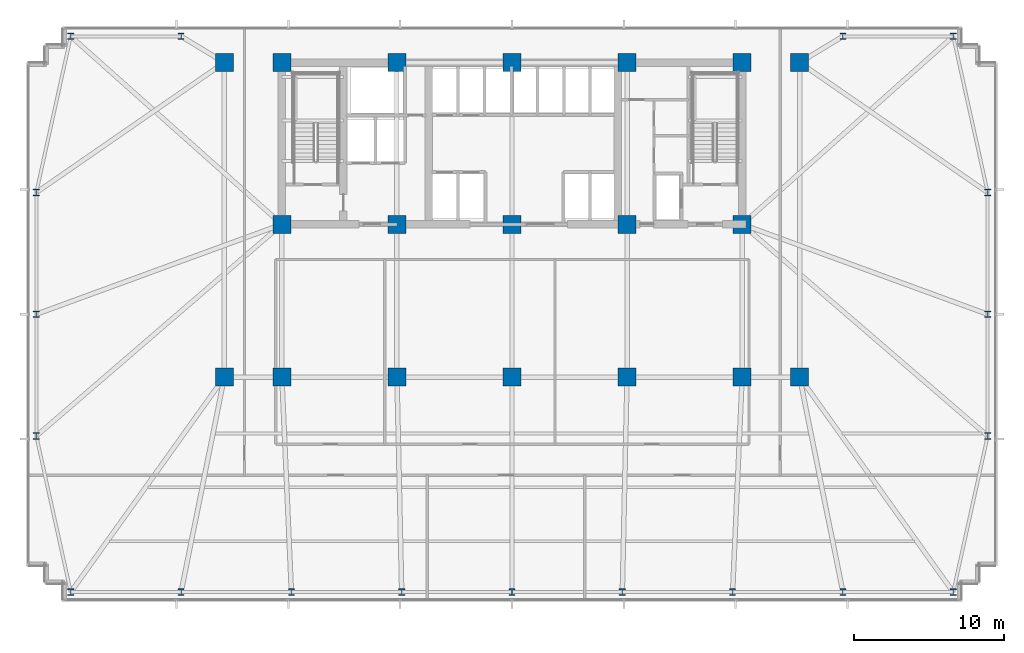
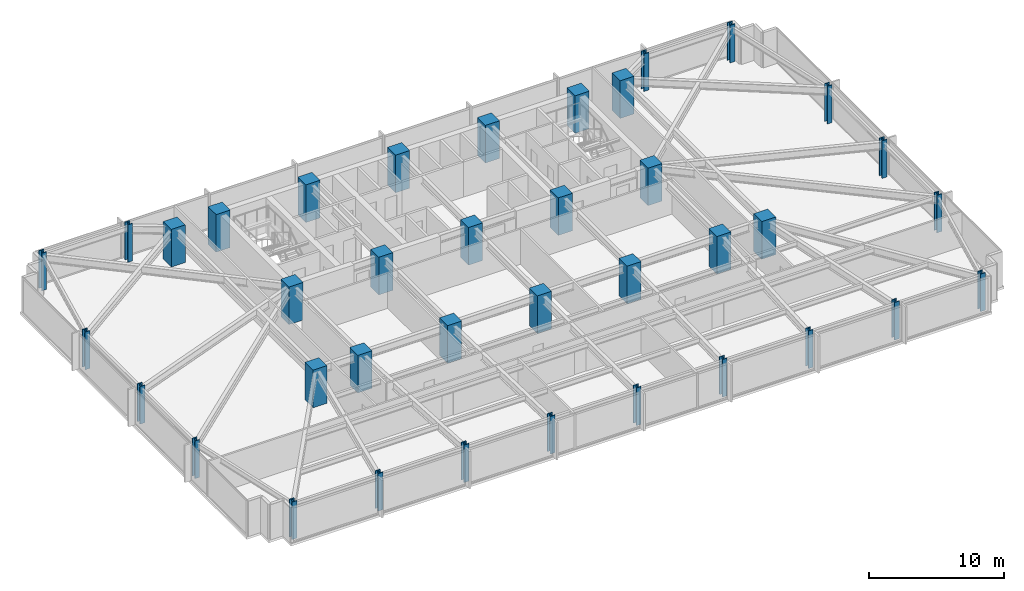
# One storey, part 1 of 32: 38 columns.
"""IFC4 building model written with IfcOpenShell, lengths in metres."""

from ifc_helpers import new_model, si_unit, direction, frame, origin, origin_2d, place, context, subcontext, project, spatial, rectangle, i_section, extrude, material, material_profile, profile_set, type_object, element, save


model = new_model("IFC4")

# Units and contexts
model_context = context("Model", 3, precision=1e-05, world=origin(), true_north=direction((0.0, 1.0)))
body_context = subcontext(model_context, "Body", "Model", "MODEL_VIEW")
ifc_project = project(units=[si_unit("LENGTHUNIT", "METRE"), si_unit("AREAUNIT", "SQUARE_METRE"), si_unit("VOLUMEUNIT", "CUBIC_METRE"), si_unit("PLANEANGLEUNIT", "RADIAN"), si_unit("MASSUNIT", "GRAM", prefix="KILO")], contexts=[model_context])

# Site, building, storey
site_placement = place(None, origin())
site = spatial("IfcSite", under=ifc_project, at=site_placement, CompositionType="ELEMENT")
building_placement = place(site_placement, origin())
building = spatial("IfcBuilding", under=site, at=building_placement, Name="Yelkora Congress Tower", CompositionType="ELEMENT")
storey_placement = place(building_placement, frame((0.0, 0.0, 33.800048828125)))
storey = spatial("IfcBuildingStorey", under=building, at=storey_placement, Name="L07", CompositionType="ELEMENT", Elevation=33.800048828125)

# Columns
ifc_material_1 = material(Name="Steel S460M", Category="steel")
ifc_material_profile_1 = material_profile(ifc_material_1, i_section(OverallWidth=0.41796875, OverallDepth=0.455078125, WebThickness=0.0419921875, FlangeThickness=0.068115234375, FilletRadius=0.014892578125, at=origin_2d()), Name="HD 400x551")
ifc_profile_set_1 = profile_set([ifc_material_profile_1], Name="Steel S460M")
column_type_1 = type_object("IfcColumnType", Name="COL-HD-551-EXT", PredefinedType="COLUMN", material=ifc_profile_set_1)
for number, where, z_axis, x_axis, name in (
    (1, (8.949951171875, 10.85009765625, 0.0), (0.0, 0.0, 1.0), (1.0, 0.0, 0.0), "L07 Perimeter Column S01"),
    (2, (16.3125, 10.85009765625, 0.0), (0.0, 0.0, 1.0), (1.0, 0.0, 0.0), "L07 Perimeter Column S02"),
    (3, (23.675048828125, 10.85009765625, 0.0), (0.0, 0.0, 1.0), (1.0, 0.0, 0.0), "L07 Perimeter Column S03"),
    (4, (31.03759765625, 10.85009765625, 0.0), (0.0, 0.0, 1.0), (1.0, 0.0, 0.0), "L07 Perimeter Column S04"),
    (5, (38.39990234375, 10.85009765625, 0.0), (0.0, 0.0, 1.0), (1.0, 0.0, 0.0), "L07 Perimeter Column S05"),
    (6, (45.762451171875, 10.85009765625, 0.0), (0.0, 0.0, 1.0), (1.0, 0.0, 0.0), "L07 Perimeter Column S06"),
    (7, (53.125, 10.85009765625, 0.0), (0.0, 0.0, 1.0), (1.0, 0.0, 0.0), "L07 Perimeter Column S07"),
    (8, (60.487548828125, 10.85009765625, 0.0), (0.0, 0.0, 1.0), (1.0, 0.0, 0.0), "L07 Perimeter Column S08"),
    (9, (67.85009765625, 10.85009765625, 0.0), (0.0, 0.0, 1.0), (1.0, 0.0, 0.0), "L07 Perimeter Column S09"),
    (10, (8.949951171875, 47.949951171875, 0.0), (0.0, 0.0, 1.0), (1.0, 0.0, 0.0), "L07 Perimeter Column N01"),
    (11, (16.3125, 47.949951171875, 0.0), (0.0, 0.0, 1.0), (1.0, 0.0, 0.0), "L07 Perimeter Column N02"),
    (12, (60.487548828125, 47.949951171875, 0.0), (0.0, 0.0, 1.0), (1.0, 0.0, 0.0), "L07 Perimeter Column N08"),
    (13, (67.85009765625, 47.949951171875, 0.0), (0.0, 0.0, 1.0), (1.0, 0.0, 0.0), "L07 Perimeter Column N09"),
    (14, (6.64990234375, 21.27490234375, 0.0), (0.0, 0.0, 1.0), (1.0, 0.0, 0.0), "L07 Perimeter Column W01"),
    (15, (70.14990234375, 21.27490234375, 0.0), (0.0, 0.0, 1.0), (1.0, 0.0, 0.0), "L07 Perimeter Column E01"),
    (16, (6.64990234375, 29.39990234375, 0.0), (0.0, 0.0, 1.0), (1.0, 0.0, 0.0), "L07 Perimeter Column W02"),
    (17, (70.14990234375, 29.39990234375, 0.0), (0.0, 0.0, 1.0), (1.0, 0.0, 0.0), "L07 Perimeter Column E02"),
    (18, (6.64990234375, 37.52490234375, 0.0), (0.0, 0.0, 1.0), (1.0, 0.0, 0.0), "L07 Perimeter Column W03"),
    (19, (70.14990234375, 37.52490234375, 0.0), (0.0, 0.0, 1.0), (1.0, 0.0, 0.0), "L07 Perimeter Column E03"),
):
    element("IfcColumn", number, at=place(storey_placement, frame(where, z_axis=z_axis, x_axis=x_axis)), inside=storey, type_object=column_type_1, Name=name, PredefinedType="COLUMN", context=body_context, shape_type="SweptSolid", body=[
        extrude(i_section(OverallWidth=0.41796875, OverallDepth=0.455078125, WebThickness=0.0419921875, FlangeThickness=0.068115234375, FilletRadius=0.014892578125, at=origin_2d()), origin(), (0.0, 0.0, 1.0), 3.39990234375),
    ])
ifc_material_2 = material(Name="Concrete C60/75", Category="concrete")
ifc_material_profile_2 = material_profile(ifc_material_2, rectangle(XDim=1.199951171875, YDim=1.199951171875, at=origin_2d()), Name="RC 1200x1200")
ifc_profile_set_2 = profile_set([ifc_material_profile_2], Name="Concrete C60/75")
column_type_2 = type_object("IfcColumnType", Name="COL-RC-1200", PredefinedType="COLUMN", material=ifc_profile_set_2)
for number, where, z_axis, x_axis, name in (
    (20, (23.0400390625, 35.39990234375, 0.0), (0.0, 0.0, 1.0), (1.0, 0.0, 0.0), "L07 Mega Column MC-S1"),
    (21, (23.0400390625, 46.199951171875, 0.0), (0.0, 0.0, 1.0), (1.0, 0.0, 0.0), "L07 Mega Column MC-N1"),
    (22, (23.0400390625, 25.199951171875, 0.0), (0.0, 0.0, 1.0), (1.0, 0.0, 0.0), "L07 Mega Column MC-D1"),
    (23, (30.719970703125, 35.39990234375, 0.0), (0.0, 0.0, 1.0), (1.0, 0.0, 0.0), "L07 Mega Column MC-S2"),
    (24, (30.719970703125, 46.199951171875, 0.0), (0.0, 0.0, 1.0), (1.0, 0.0, 0.0), "L07 Mega Column MC-N2"),
    (25, (30.719970703125, 25.199951171875, 0.0), (0.0, 0.0, 1.0), (1.0, 0.0, 0.0), "L07 Mega Column MC-D2"),
    (26, (38.39990234375, 35.39990234375, 0.0), (0.0, 0.0, 1.0), (1.0, 0.0, 0.0), "L07 Mega Column MC-S3"),
    (27, (38.39990234375, 46.199951171875, 0.0), (0.0, 0.0, 1.0), (1.0, 0.0, 0.0), "L07 Mega Column MC-N3"),
    (28, (38.39990234375, 25.199951171875, 0.0), (0.0, 0.0, 1.0), (1.0, 0.0, 0.0), "L07 Mega Column MC-D3"),
    (29, (46.080078125, 35.39990234375, 0.0), (0.0, 0.0, 1.0), (1.0, 0.0, 0.0), "L07 Mega Column MC-S4"),
    (30, (46.080078125, 46.199951171875, 0.0), (0.0, 0.0, 1.0), (1.0, 0.0, 0.0), "L07 Mega Column MC-N4"),
    (31, (46.080078125, 25.199951171875, 0.0), (0.0, 0.0, 1.0), (1.0, 0.0, 0.0), "L07 Mega Column MC-D4"),
    (32, (53.760009765625, 35.39990234375, 0.0), (0.0, 0.0, 1.0), (1.0, 0.0, 0.0), "L07 Mega Column MC-S5"),
    (33, (53.760009765625, 46.199951171875, 0.0), (0.0, 0.0, 1.0), (1.0, 0.0, 0.0), "L07 Mega Column MC-N5"),
    (34, (53.760009765625, 25.199951171875, 0.0), (0.0, 0.0, 1.0), (1.0, 0.0, 0.0), "L07 Mega Column MC-D5"),
    (35, (19.199951171875, 25.199951171875, 0.0), (0.0, 0.0, 1.0), (1.0, 0.0, 0.0), "L07 Mega Column MC-F1"),
    (36, (57.60009765625, 25.199951171875, 0.0), (0.0, 0.0, 1.0), (1.0, 0.0, 0.0), "L07 Mega Column MC-F2"),
    (37, (19.199951171875, 46.199951171875, 0.0), (0.0, 0.0, 1.0), (1.0, 0.0, 0.0), "L07 Mega Column MC-F3"),
    (38, (57.60009765625, 46.199951171875, 0.0), (0.0, 0.0, 1.0), (1.0, 0.0, 0.0), "L07 Mega Column MC-F4"),
):
    element("IfcColumn", number, at=place(storey_placement, frame(where, z_axis=z_axis, x_axis=x_axis)), inside=storey, type_object=column_type_2, Name=name, PredefinedType="COLUMN", context=body_context, shape_type="SweptSolid", body=[
        extrude(rectangle(XDim=1.199951171875, YDim=1.199951171875, at=origin_2d()), origin(), (0.0, 0.0, 1.0), 3.39990234375),
    ])

save(model, "model.ifc")
